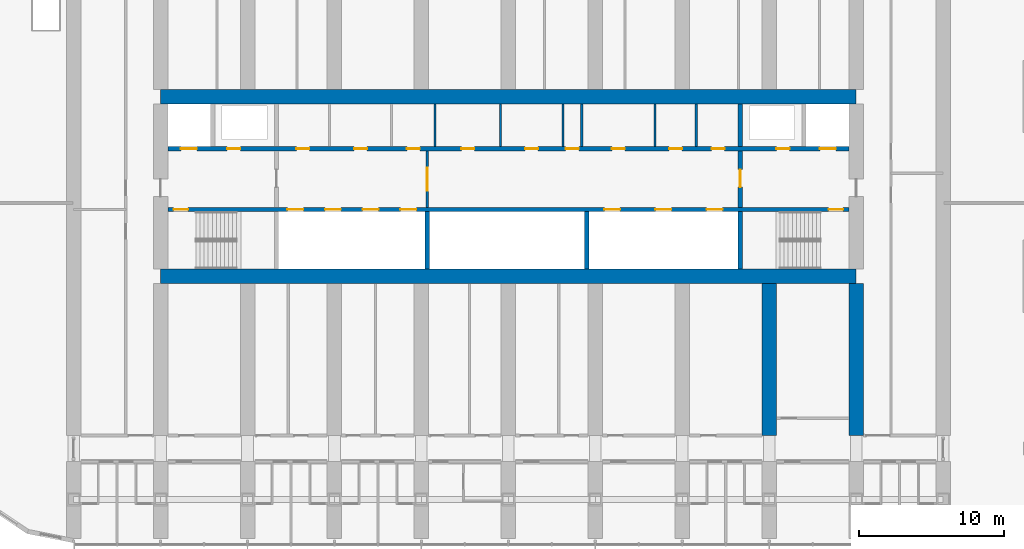
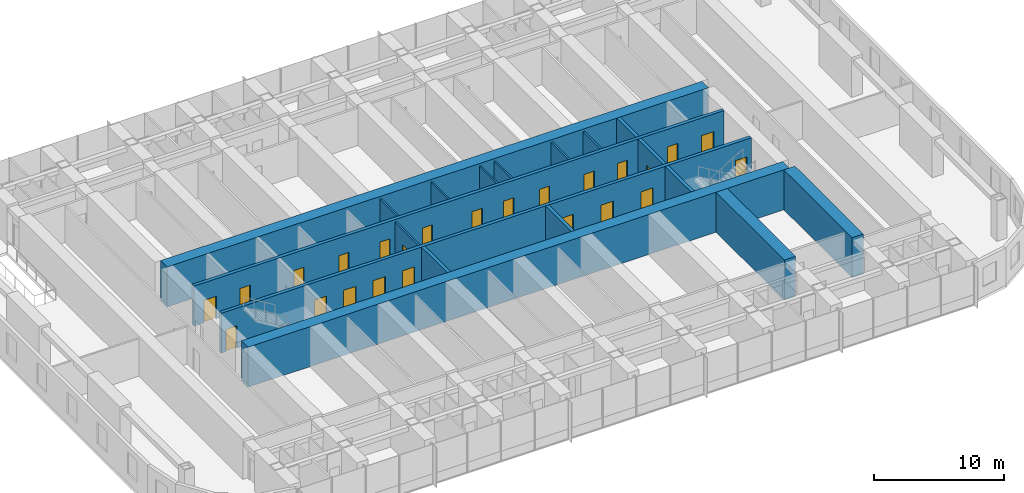
# One storey, part 13 of 23: 24 doors, 18 walls, 24 openings.
"""IFC4 building model written with IfcOpenShell, lengths in metres."""

from ifc_helpers import new_model, si_unit, direction, frame, frame_2d, origin, place, context, subcontext, project, spatial, rectangle, extrude, material, layer, layer_set, type_object, element, fill, save


model = new_model("IFC4")

# Units and contexts
model_context = context("Model", 3, precision=1e-05, world=origin(), true_north=direction((0.0, 1.0)))
body_context = subcontext(model_context, "Body", "Model", "MODEL_VIEW")
ifc_project = project(units=[si_unit("LENGTHUNIT", "METRE"), si_unit("AREAUNIT", "SQUARE_METRE"), si_unit("VOLUMEUNIT", "CUBIC_METRE"), si_unit("PLANEANGLEUNIT", "RADIAN"), si_unit("MASSUNIT", "GRAM", prefix="KILO")], contexts=[model_context])

# Site, building, storey
site_placement = place(None, origin())
site = spatial("IfcSite", under=ifc_project, at=site_placement, CompositionType="ELEMENT")
building_placement = place(site_placement, origin())
building = spatial("IfcBuilding", under=site, at=building_placement, Name="Orbita Commons", CompositionType="ELEMENT")
storey_placement = place(building_placement, frame((0.0, 0.0, 42.699951171875)))
storey = spatial("IfcBuildingStorey", under=building, at=storey_placement, Name="L10", CompositionType="ELEMENT", Elevation=42.699951171875)

# Wall, openings, doors
ifc_material_1 = material(Name="Concrete C50/60", Category="concrete")
ifc_layer_1 = layer(ifc_material_1, 0.300048828125)
ifc_layer_set_1 = layer_set([ifc_layer_1], Name="Concrete C50/60")
wall_type_1 = type_object("IfcWallType", Name="Core inner wall 300 C50/60", PredefinedType="SHEAR", material=ifc_layer_set_1)
wall_1_placement = place(storey_placement, frame((18.5, 30.39990234375, 0.0), z_axis=(0.0, 0.0, 1.0), x_axis=(1.0, 0.0, 0.0)))
wall_1 = element("IfcWall", 1, at=wall_1_placement, inside=storey, type_object=wall_type_1, Name="Lobby wall south L10", PredefinedType="SHEAR", context=body_context, shape_type="SweptSolid", body=[
    extrude(rectangle(XDim=47.0, YDim=0.300048828125, at=frame_2d((23.5, 0.0))), origin(), (0.0, 0.0, 1.0), 3.75),
])
opening_1_placement = place(wall_1_placement, frame((0.39990234375, 0.0, 0.0)))
opening_1 = element("IfcOpeningElement", 2, at=opening_1_placement, cuts=wall_1, Name="Opening D02", PredefinedType="OPENING", context=body_context, shape_type="SweptSolid", body=[
    extrude(rectangle(XDim=1.0, YDim=2.10009765625, at=frame_2d((0.5, 1.050048828125))), frame((0.0, 0.159912109375, 0.0), z_axis=(0.0, -1.0, 0.0), x_axis=(1.0, 0.0, 0.0)), (0.0, 0.0, 1.0), 0.320068359375),
])
opening_2_placement = place(wall_1_placement, frame((45.60009765625, 0.0, 0.0)))
opening_2 = element("IfcOpeningElement", 3, at=opening_2_placement, cuts=wall_1, Name="Opening D02", PredefinedType="OPENING", context=body_context, shape_type="SweptSolid", body=[
    extrude(rectangle(XDim=1.0, YDim=2.10009765625, at=frame_2d((0.5, 1.050048828125))), frame((0.0, 0.159912109375, 0.0), z_axis=(0.0, -1.0, 0.0), x_axis=(1.0, 0.0, 0.0)), (0.0, 0.0, 1.0), 0.320068359375),
])
opening_3_placement = place(wall_1_placement, frame((8.25, 0.0, 0.0)))
opening_3 = element("IfcOpeningElement", 4, at=opening_3_placement, cuts=wall_1, Name="Opening LD02", PredefinedType="OPENING", context=body_context, shape_type="SweptSolid", body=[
    extrude(rectangle(XDim=1.10009765625, YDim=2.10009765625, at=frame_2d((0.550048828125, 1.050048828125))), frame((0.0, 0.159912109375, 0.0), z_axis=(0.0, -1.0, 0.0), x_axis=(1.0, 0.0, 0.0)), (0.0, 0.0, 1.0), 0.320068359375),
])
opening_4_placement = place(wall_1_placement, frame((10.85009765625, 0.0, 0.0)))
opening_4 = element("IfcOpeningElement", 5, at=opening_4_placement, cuts=wall_1, Name="Opening LD02", PredefinedType="OPENING", context=body_context, shape_type="SweptSolid", body=[
    extrude(rectangle(XDim=1.10009765625, YDim=2.10009765625, at=frame_2d((0.550048828125, 1.050048828125))), frame((0.0, 0.159912109375, 0.0), z_axis=(0.0, -1.0, 0.0), x_axis=(1.0, 0.0, 0.0)), (0.0, 0.0, 1.0), 0.320068359375),
])
opening_5_placement = place(wall_1_placement, frame((13.449951171875, 0.0, 0.0)))
opening_5 = element("IfcOpeningElement", 6, at=opening_5_placement, cuts=wall_1, Name="Opening LD02", PredefinedType="OPENING", context=body_context, shape_type="SweptSolid", body=[
    extrude(rectangle(XDim=1.10009765625, YDim=2.10009765625, at=frame_2d((0.550048828125, 1.050048828125))), frame((0.0, 0.159912109375, 0.0), z_axis=(0.0, -1.0, 0.0), x_axis=(1.0, 0.0, 0.0)), (0.0, 0.0, 1.0), 0.320068359375),
])
opening_6_placement = place(wall_1_placement, frame((16.050048828125, 0.0, 0.0)))
opening_6 = element("IfcOpeningElement", 7, at=opening_6_placement, cuts=wall_1, Name="Opening LD02", PredefinedType="OPENING", context=body_context, shape_type="SweptSolid", body=[
    extrude(rectangle(XDim=1.10009765625, YDim=2.10009765625, at=frame_2d((0.550048828125, 1.050048828125))), frame((0.0, 0.159912109375, 0.0), z_axis=(0.0, -1.0, 0.0), x_axis=(1.0, 0.0, 0.0)), (0.0, 0.0, 1.0), 0.320068359375),
])
opening_7_placement = place(wall_1_placement, frame((30.11669921875, 0.0, 0.0)))
opening_7 = element("IfcOpeningElement", 8, at=opening_7_placement, cuts=wall_1, Name="Opening LD02", PredefinedType="OPENING", context=body_context, shape_type="SweptSolid", body=[
    extrude(rectangle(XDim=1.10009765625, YDim=2.10009765625, at=frame_2d((0.550048828125, 1.050048828125))), frame((0.0, 0.159912109375, 0.0), z_axis=(0.0, -1.0, 0.0), x_axis=(1.0, 0.0, 0.0)), (0.0, 0.0, 1.0), 0.320068359375),
])
opening_8_placement = place(wall_1_placement, frame((33.64990234375, 0.0, 0.0)))
opening_8 = element("IfcOpeningElement", 9, at=opening_8_placement, cuts=wall_1, Name="Opening LD02", PredefinedType="OPENING", context=body_context, shape_type="SweptSolid", body=[
    extrude(rectangle(XDim=1.10009765625, YDim=2.10009765625, at=frame_2d((0.550048828125, 1.050048828125))), frame((0.0, 0.159912109375, 0.0), z_axis=(0.0, -1.0, 0.0), x_axis=(1.0, 0.0, 0.0)), (0.0, 0.0, 1.0), 0.320068359375),
])
opening_9_placement = place(wall_1_placement, frame((37.183349609375, 0.0, 0.0)))
opening_9 = element("IfcOpeningElement", 10, at=opening_9_placement, cuts=wall_1, Name="Opening LD02", PredefinedType="OPENING", context=body_context, shape_type="SweptSolid", body=[
    extrude(rectangle(XDim=1.10009765625, YDim=2.10009765625, at=frame_2d((0.550048828125, 1.050048828125))), frame((0.0, 0.159912109375, 0.0), z_axis=(0.0, -1.0, 0.0), x_axis=(1.0, 0.0, 0.0)), (0.0, 0.0, 1.0), 0.320068359375),
])
ifc_material_2 = material(Name="Steel-faced fire door leaf", Category="steel")
door_type_1 = type_object("IfcDoorType", Name="Fire door 90 min 1000x2100", OperationType="SINGLE_SWING_LEFT", PredefinedType="DOOR", material=ifc_material_2)
door_1_placement = place(opening_1_placement, origin())
door_1 = element("IfcDoor", 11, at=door_1_placement, inside=storey, type_object=door_type_1, Name="Stair S1 door", OperationType="SINGLE_SWING_LEFT", OverallHeight=2.10009765625, OverallWidth=1.0, PredefinedType="DOOR", context=body_context, shape_type="SweptSolid", body=[
    extrude(rectangle(XDim=1.0, YDim=2.10009765625, at=frame_2d((0.5, 1.050048828125))), frame((0.0, 0.02490234375, 0.0), z_axis=(0.0, -1.0, 0.0), x_axis=(1.0, 0.0, 0.0)), (0.0, 0.0, 1.0), 0.050048828125),
])
fill(opening_1, door_1)
door_2_placement = place(opening_2_placement, origin())
door_2 = element("IfcDoor", 12, at=door_2_placement, inside=storey, type_object=door_type_1, Name="Stair S2 door", OperationType="SINGLE_SWING_LEFT", OverallHeight=2.10009765625, OverallWidth=1.0, PredefinedType="DOOR", context=body_context, shape_type="SweptSolid", body=[
    extrude(rectangle(XDim=1.0, YDim=2.10009765625, at=frame_2d((0.5, 1.050048828125))), frame((0.0, 0.02490234375, 0.0), z_axis=(0.0, -1.0, 0.0), x_axis=(1.0, 0.0, 0.0)), (0.0, 0.0, 1.0), 0.050048828125),
])
fill(opening_2, door_2)
ifc_material_3 = material(Name="Steel-faced fire door leaf", Category="steel")
door_type_2 = type_object("IfcDoorType", Name="Lift landing door 1100x2100", OperationType="DOUBLE_DOOR_SLIDING", PredefinedType="DOOR", material=ifc_material_3)
door_3_placement = place(opening_3_placement, origin())
door_3 = element("IfcDoor", 13, at=door_3_placement, inside=storey, type_object=door_type_2, Name="Lift P11 landing door", OperationType="DOUBLE_DOOR_SLIDING", OverallHeight=2.10009765625, OverallWidth=1.10009765625, PredefinedType="DOOR", context=body_context, shape_type="SweptSolid", body=[
    extrude(rectangle(XDim=1.10009765625, YDim=2.10009765625, at=frame_2d((0.550048828125, 1.050048828125))), frame((0.0, 0.02490234375, 0.0), z_axis=(0.0, -1.0, 0.0), x_axis=(1.0, 0.0, 0.0)), (0.0, 0.0, 1.0), 0.050048828125),
])
fill(opening_3, door_3)
door_4_placement = place(opening_4_placement, origin())
door_4 = element("IfcDoor", 14, at=door_4_placement, inside=storey, type_object=door_type_2, Name="Lift P12 landing door", OperationType="DOUBLE_DOOR_SLIDING", OverallHeight=2.10009765625, OverallWidth=1.10009765625, PredefinedType="DOOR", context=body_context, shape_type="SweptSolid", body=[
    extrude(rectangle(XDim=1.10009765625, YDim=2.10009765625, at=frame_2d((0.550048828125, 1.050048828125))), frame((0.0, 0.02490234375, 0.0), z_axis=(0.0, -1.0, 0.0), x_axis=(1.0, 0.0, 0.0)), (0.0, 0.0, 1.0), 0.050048828125),
])
fill(opening_4, door_4)
door_5_placement = place(opening_5_placement, origin())
door_5 = element("IfcDoor", 15, at=door_5_placement, inside=storey, type_object=door_type_2, Name="Lift P13 landing door", OperationType="DOUBLE_DOOR_SLIDING", OverallHeight=2.10009765625, OverallWidth=1.10009765625, PredefinedType="DOOR", context=body_context, shape_type="SweptSolid", body=[
    extrude(rectangle(XDim=1.10009765625, YDim=2.10009765625, at=frame_2d((0.550048828125, 1.050048828125))), frame((0.0, 0.02490234375, 0.0), z_axis=(0.0, -1.0, 0.0), x_axis=(1.0, 0.0, 0.0)), (0.0, 0.0, 1.0), 0.050048828125),
])
fill(opening_5, door_5)
door_6_placement = place(opening_6_placement, origin())
door_6 = element("IfcDoor", 16, at=door_6_placement, inside=storey, type_object=door_type_2, Name="Lift P14 landing door", OperationType="DOUBLE_DOOR_SLIDING", OverallHeight=2.10009765625, OverallWidth=1.10009765625, PredefinedType="DOOR", context=body_context, shape_type="SweptSolid", body=[
    extrude(rectangle(XDim=1.10009765625, YDim=2.10009765625, at=frame_2d((0.550048828125, 1.050048828125))), frame((0.0, 0.02490234375, 0.0), z_axis=(0.0, -1.0, 0.0), x_axis=(1.0, 0.0, 0.0)), (0.0, 0.0, 1.0), 0.050048828125),
])
fill(opening_6, door_6)
door_7_placement = place(opening_7_placement, origin())
door_7 = element("IfcDoor", 17, at=door_7_placement, inside=storey, type_object=door_type_2, Name="Lift SV1 landing door", OperationType="DOUBLE_DOOR_SLIDING", OverallHeight=2.10009765625, OverallWidth=1.10009765625, PredefinedType="DOOR", context=body_context, shape_type="SweptSolid", body=[
    extrude(rectangle(XDim=1.10009765625, YDim=2.10009765625, at=frame_2d((0.550048828125, 1.050048828125))), frame((0.0, 0.02490234375, 0.0), z_axis=(0.0, -1.0, 0.0), x_axis=(1.0, 0.0, 0.0)), (0.0, 0.0, 1.0), 0.050048828125),
])
fill(opening_7, door_7)
door_8_placement = place(opening_8_placement, origin())
door_8 = element("IfcDoor", 18, at=door_8_placement, inside=storey, type_object=door_type_2, Name="Lift SV2 landing door", OperationType="DOUBLE_DOOR_SLIDING", OverallHeight=2.10009765625, OverallWidth=1.10009765625, PredefinedType="DOOR", context=body_context, shape_type="SweptSolid", body=[
    extrude(rectangle(XDim=1.10009765625, YDim=2.10009765625, at=frame_2d((0.550048828125, 1.050048828125))), frame((0.0, 0.02490234375, 0.0), z_axis=(0.0, -1.0, 0.0), x_axis=(1.0, 0.0, 0.0)), (0.0, 0.0, 1.0), 0.050048828125),
])
fill(opening_8, door_8)
door_9_placement = place(opening_9_placement, origin())
door_9 = element("IfcDoor", 19, at=door_9_placement, inside=storey, type_object=door_type_2, Name="Lift SV3 landing door", OperationType="DOUBLE_DOOR_SLIDING", OverallHeight=2.10009765625, OverallWidth=1.10009765625, PredefinedType="DOOR", context=body_context, shape_type="SweptSolid", body=[
    extrude(rectangle(XDim=1.10009765625, YDim=2.10009765625, at=frame_2d((0.550048828125, 1.050048828125))), frame((0.0, 0.02490234375, 0.0), z_axis=(0.0, -1.0, 0.0), x_axis=(1.0, 0.0, 0.0)), (0.0, 0.0, 1.0), 0.050048828125),
])
fill(opening_9, door_9)

wall_2_placement = place(storey_placement, frame((18.5, 34.60009765625, 0.0), z_axis=(0.0, 0.0, 1.0), x_axis=(1.0, 0.0, 0.0)))
wall_2 = element("IfcWall", 20, at=wall_2_placement, inside=storey, type_object=wall_type_1, Name="Lobby wall north L10", PredefinedType="SHEAR", context=body_context, shape_type="SweptSolid", body=[
    extrude(rectangle(XDim=47.0, YDim=0.300048828125, at=frame_2d((23.5, 0.0))), origin(), (0.0, 0.0, 1.0), 3.75),
])
opening_10_placement = place(wall_2_placement, frame((0.89990234375, 0.0, 0.0)))
opening_10 = element("IfcOpeningElement", 21, at=opening_10_placement, cuts=wall_2, Name="Opening LD01", PredefinedType="OPENING", context=body_context, shape_type="SweptSolid", body=[
    extrude(rectangle(XDim=1.10009765625, YDim=2.10009765625, at=frame_2d((0.550048828125, 1.050048828125))), frame((0.0, 0.159912109375, 0.0), z_axis=(0.0, -1.0, 0.0), x_axis=(1.0, 0.0, 0.0)), (0.0, 0.0, 1.0), 0.320068359375),
])
opening_11_placement = place(wall_2_placement, frame((45.0, 0.0, 0.0)))
opening_11 = element("IfcOpeningElement", 22, at=opening_11_placement, cuts=wall_2, Name="Opening LD01", PredefinedType="OPENING", context=body_context, shape_type="SweptSolid", body=[
    extrude(rectangle(XDim=1.10009765625, YDim=2.10009765625, at=frame_2d((0.550048828125, 1.050048828125))), frame((0.0, 0.159912109375, 0.0), z_axis=(0.0, -1.0, 0.0), x_axis=(1.0, 0.0, 0.0)), (0.0, 0.0, 1.0), 0.320068359375),
])
opening_12_placement = place(wall_2_placement, frame((4.10009765625, 0.0, 0.0)))
opening_12 = element("IfcOpeningElement", 23, at=opening_12_placement, cuts=wall_2, Name="Opening D03", PredefinedType="OPENING", context=body_context, shape_type="SweptSolid", body=[
    extrude(rectangle(XDim=0.89990234375, YDim=2.10009765625, at=frame_2d((0.449951171875, 1.050048828125))), frame((0.0, 0.159912109375, 0.0), z_axis=(0.0, -1.0, 0.0), x_axis=(1.0, 0.0, 0.0)), (0.0, 0.0, 1.0), 0.320068359375),
])
opening_13_placement = place(wall_2_placement, frame((42.0, 0.0, 0.0)))
opening_13 = element("IfcOpeningElement", 24, at=opening_13_placement, cuts=wall_2, Name="Opening D03", PredefinedType="OPENING", context=body_context, shape_type="SweptSolid", body=[
    extrude(rectangle(XDim=0.89990234375, YDim=2.10009765625, at=frame_2d((0.449951171875, 1.050048828125))), frame((0.0, 0.159912109375, 0.0), z_axis=(0.0, -1.0, 0.0), x_axis=(1.0, 0.0, 0.0)), (0.0, 0.0, 1.0), 0.320068359375),
])
opening_14_placement = place(wall_2_placement, frame((8.87548828125, 0.0, 0.0)))
opening_14 = element("IfcOpeningElement", 25, at=opening_14_placement, cuts=wall_2, Name="Opening D05", PredefinedType="OPENING", context=body_context, shape_type="SweptSolid", body=[
    extrude(rectangle(XDim=0.89990234375, YDim=2.10009765625, at=frame_2d((0.449951171875, 1.050048828125))), frame((0.0, 0.159912109375, 0.0), z_axis=(0.0, -1.0, 0.0), x_axis=(1.0, 0.0, 0.0)), (0.0, 0.0, 1.0), 0.320068359375),
])
opening_15_placement = place(wall_2_placement, frame((12.8486328125, 0.0, 0.0)))
opening_15 = element("IfcOpeningElement", 26, at=opening_15_placement, cuts=wall_2, Name="Opening D03", PredefinedType="OPENING", context=body_context, shape_type="SweptSolid", body=[
    extrude(rectangle(XDim=0.89990234375, YDim=2.10009765625, at=frame_2d((0.449951171875, 1.050048828125))), frame((0.0, 0.159912109375, 0.0), z_axis=(0.0, -1.0, 0.0), x_axis=(1.0, 0.0, 0.0)), (0.0, 0.0, 1.0), 0.320068359375),
])
opening_16_placement = place(wall_2_placement, frame((16.496337890625, 0.0, 0.0)))
opening_16 = element("IfcOpeningElement", 27, at=opening_16_placement, cuts=wall_2, Name="Opening D03", PredefinedType="OPENING", context=body_context, shape_type="SweptSolid", body=[
    extrude(rectangle(XDim=0.89990234375, YDim=2.10009765625, at=frame_2d((0.449951171875, 1.050048828125))), frame((0.0, 0.159912109375, 0.0), z_axis=(0.0, -1.0, 0.0), x_axis=(1.0, 0.0, 0.0)), (0.0, 0.0, 1.0), 0.320068359375),
])
opening_17_placement = place(wall_2_placement, frame((20.254638671875, 0.0, 0.0)))
opening_17 = element("IfcOpeningElement", 28, at=opening_17_placement, cuts=wall_2, Name="Opening D03", PredefinedType="OPENING", context=body_context, shape_type="SweptSolid", body=[
    extrude(rectangle(XDim=0.89990234375, YDim=2.10009765625, at=frame_2d((0.449951171875, 1.050048828125))), frame((0.0, 0.159912109375, 0.0), z_axis=(0.0, -1.0, 0.0), x_axis=(1.0, 0.0, 0.0)), (0.0, 0.0, 1.0), 0.320068359375),
])
opening_18_placement = place(wall_2_placement, frame((24.66064453125, 0.0, 0.0)))
opening_18 = element("IfcOpeningElement", 29, at=opening_18_placement, cuts=wall_2, Name="Opening D03", PredefinedType="OPENING", context=body_context, shape_type="SweptSolid", body=[
    extrude(rectangle(XDim=0.89990234375, YDim=2.10009765625, at=frame_2d((0.449951171875, 1.050048828125))), frame((0.0, 0.159912109375, 0.0), z_axis=(0.0, -1.0, 0.0), x_axis=(1.0, 0.0, 0.0)), (0.0, 0.0, 1.0), 0.320068359375),
])
opening_19_placement = place(wall_2_placement, frame((27.45849609375, 0.0, 0.0)))
opening_19 = element("IfcOpeningElement", 30, at=opening_19_placement, cuts=wall_2, Name="Opening D03", PredefinedType="OPENING", context=body_context, shape_type="SweptSolid", body=[
    extrude(rectangle(XDim=0.89990234375, YDim=2.10009765625, at=frame_2d((0.449951171875, 1.050048828125))), frame((0.0, 0.159912109375, 0.0), z_axis=(0.0, -1.0, 0.0), x_axis=(1.0, 0.0, 0.0)), (0.0, 0.0, 1.0), 0.320068359375),
])
opening_20_placement = place(wall_2_placement, frame((30.64111328125, 0.0, 0.0)))
opening_20 = element("IfcOpeningElement", 31, at=opening_20_placement, cuts=wall_2, Name="Opening D05", PredefinedType="OPENING", context=body_context, shape_type="SweptSolid", body=[
    extrude(rectangle(XDim=0.89990234375, YDim=2.10009765625, at=frame_2d((0.449951171875, 1.050048828125))), frame((0.0, 0.159912109375, 0.0), z_axis=(0.0, -1.0, 0.0), x_axis=(1.0, 0.0, 0.0)), (0.0, 0.0, 1.0), 0.320068359375),
])
opening_21_placement = place(wall_2_placement, frame((34.59228515625, 0.0, 0.0)))
opening_21 = element("IfcOpeningElement", 32, at=opening_21_placement, cuts=wall_2, Name="Opening D03", PredefinedType="OPENING", context=body_context, shape_type="SweptSolid", body=[
    extrude(rectangle(XDim=0.89990234375, YDim=2.10009765625, at=frame_2d((0.449951171875, 1.050048828125))), frame((0.0, 0.159912109375, 0.0), z_axis=(0.0, -1.0, 0.0), x_axis=(1.0, 0.0, 0.0)), (0.0, 0.0, 1.0), 0.320068359375),
])
opening_22_placement = place(wall_2_placement, frame((37.5302734375, 0.0, 0.0)))
opening_22 = element("IfcOpeningElement", 33, at=opening_22_placement, cuts=wall_2, Name="Opening D03", PredefinedType="OPENING", context=body_context, shape_type="SweptSolid", body=[
    extrude(rectangle(XDim=0.89990234375, YDim=2.10009765625, at=frame_2d((0.449951171875, 1.050048828125))), frame((0.0, 0.159912109375, 0.0), z_axis=(0.0, -1.0, 0.0), x_axis=(1.0, 0.0, 0.0)), (0.0, 0.0, 1.0), 0.320068359375),
])
ifc_material_4 = material(Name="Steel-faced fire door leaf", Category="steel")
door_type_3 = type_object("IfcDoorType", Name="Firefighting lift landing door 1100x2100", OperationType="DOUBLE_DOOR_SLIDING", PredefinedType="DOOR", material=ifc_material_4)
door_10_placement = place(opening_10_placement, origin())
door_10 = element("IfcDoor", 34, at=door_10_placement, inside=storey, type_object=door_type_3, Name="Firefighting lift FL1 landing door", OperationType="DOUBLE_DOOR_SLIDING", OverallHeight=2.10009765625, OverallWidth=1.10009765625, PredefinedType="DOOR", context=body_context, shape_type="SweptSolid", body=[
    extrude(rectangle(XDim=1.10009765625, YDim=2.10009765625, at=frame_2d((0.550048828125, 1.050048828125))), frame((0.0, 0.02490234375, 0.0), z_axis=(0.0, -1.0, 0.0), x_axis=(1.0, 0.0, 0.0)), (0.0, 0.0, 1.0), 0.050048828125),
])
fill(opening_10, door_10)
door_11_placement = place(opening_11_placement, origin())
door_11 = element("IfcDoor", 35, at=door_11_placement, inside=storey, type_object=door_type_3, Name="Firefighting lift FL2 landing door", OperationType="DOUBLE_DOOR_SLIDING", OverallHeight=2.10009765625, OverallWidth=1.10009765625, PredefinedType="DOOR", context=body_context, shape_type="SweptSolid", body=[
    extrude(rectangle(XDim=1.10009765625, YDim=2.10009765625, at=frame_2d((0.550048828125, 1.050048828125))), frame((0.0, 0.02490234375, 0.0), z_axis=(0.0, -1.0, 0.0), x_axis=(1.0, 0.0, 0.0)), (0.0, 0.0, 1.0), 0.050048828125),
])
fill(opening_11, door_11)
ifc_material_5 = material(Name="Steel-faced fire door leaf", Category="steel")
door_type_4 = type_object("IfcDoorType", Name="Service door 20 min 900x2100", OperationType="SINGLE_SWING_LEFT", PredefinedType="DOOR", material=ifc_material_5)
door_12_placement = place(opening_14_placement, origin())
door_12 = element("IfcDoor", 36, at=door_12_placement, inside=storey, type_object=door_type_4, Name="Accessible WC door", OperationType="SINGLE_SWING_LEFT", OverallHeight=2.10009765625, OverallWidth=0.89990234375, PredefinedType="DOOR", context=body_context, shape_type="SweptSolid", body=[
    extrude(rectangle(XDim=0.89990234375, YDim=2.10009765625, at=frame_2d((0.449951171875, 1.050048828125))), frame((0.0, 0.02490234375, 0.0), z_axis=(0.0, -1.0, 0.0), x_axis=(1.0, 0.0, 0.0)), (0.0, 0.0, 1.0), 0.050048828125),
])
fill(opening_14, door_12)
door_13_placement = place(opening_20_placement, origin())
door_13 = element("IfcDoor", 37, at=door_13_placement, inside=storey, type_object=door_type_4, Name="Guest pantry door", OperationType="SINGLE_SWING_LEFT", OverallHeight=2.10009765625, OverallWidth=0.89990234375, PredefinedType="DOOR", context=body_context, shape_type="SweptSolid", body=[
    extrude(rectangle(XDim=0.89990234375, YDim=2.10009765625, at=frame_2d((0.449951171875, 1.050048828125))), frame((0.0, 0.02490234375, 0.0), z_axis=(0.0, -1.0, 0.0), x_axis=(1.0, 0.0, 0.0)), (0.0, 0.0, 1.0), 0.050048828125),
])
fill(opening_20, door_13)
ifc_material_6 = material(Name="Steel-faced fire door leaf", Category="steel")
door_type_5 = type_object("IfcDoorType", Name="Shaft access door 90 min 900x2100", OperationType="SINGLE_SWING_LEFT", PredefinedType="DOOR", material=ifc_material_6)
door_14_placement = place(opening_12_placement, origin())
door_14 = element("IfcDoor", 38, at=door_14_placement, inside=storey, type_object=door_type_5, Name="Riser door west", OperationType="SINGLE_SWING_LEFT", OverallHeight=2.10009765625, OverallWidth=0.89990234375, PredefinedType="DOOR", context=body_context, shape_type="SweptSolid", body=[
    extrude(rectangle(XDim=0.89990234375, YDim=2.10009765625, at=frame_2d((0.449951171875, 1.050048828125))), frame((0.0, 0.02490234375, 0.0), z_axis=(0.0, -1.0, 0.0), x_axis=(1.0, 0.0, 0.0)), (0.0, 0.0, 1.0), 0.050048828125),
])
fill(opening_12, door_14)
door_15_placement = place(opening_13_placement, origin())
door_15 = element("IfcDoor", 39, at=door_15_placement, inside=storey, type_object=door_type_5, Name="Riser door east", OperationType="SINGLE_SWING_LEFT", OverallHeight=2.10009765625, OverallWidth=0.89990234375, PredefinedType="DOOR", context=body_context, shape_type="SweptSolid", body=[
    extrude(rectangle(XDim=0.89990234375, YDim=2.10009765625, at=frame_2d((0.449951171875, 1.050048828125))), frame((0.0, 0.02490234375, 0.0), z_axis=(0.0, -1.0, 0.0), x_axis=(1.0, 0.0, 0.0)), (0.0, 0.0, 1.0), 0.050048828125),
])
fill(opening_13, door_15)
door_16_placement = place(opening_15_placement, origin())
door_16 = element("IfcDoor", 40, at=door_16_placement, inside=storey, type_object=door_type_5, Name="Refuse chute room door", OperationType="SINGLE_SWING_LEFT", OverallHeight=2.10009765625, OverallWidth=0.89990234375, PredefinedType="DOOR", context=body_context, shape_type="SweptSolid", body=[
    extrude(rectangle(XDim=0.89990234375, YDim=2.10009765625, at=frame_2d((0.449951171875, 1.050048828125))), frame((0.0, 0.02490234375, 0.0), z_axis=(0.0, -1.0, 0.0), x_axis=(1.0, 0.0, 0.0)), (0.0, 0.0, 1.0), 0.050048828125),
])
fill(opening_15, door_16)
door_17_placement = place(opening_16_placement, origin())
door_17 = element("IfcDoor", 41, at=door_17_placement, inside=storey, type_object=door_type_5, Name="Electrical riser room door", OperationType="SINGLE_SWING_LEFT", OverallHeight=2.10009765625, OverallWidth=0.89990234375, PredefinedType="DOOR", context=body_context, shape_type="SweptSolid", body=[
    extrude(rectangle(XDim=0.89990234375, YDim=2.10009765625, at=frame_2d((0.449951171875, 1.050048828125))), frame((0.0, 0.02490234375, 0.0), z_axis=(0.0, -1.0, 0.0), x_axis=(1.0, 0.0, 0.0)), (0.0, 0.0, 1.0), 0.050048828125),
])
fill(opening_16, door_17)
door_18_placement = place(opening_17_placement, origin())
door_18 = element("IfcDoor", 42, at=door_18_placement, inside=storey, type_object=door_type_5, Name="IT room door", OperationType="SINGLE_SWING_LEFT", OverallHeight=2.10009765625, OverallWidth=0.89990234375, PredefinedType="DOOR", context=body_context, shape_type="SweptSolid", body=[
    extrude(rectangle(XDim=0.89990234375, YDim=2.10009765625, at=frame_2d((0.449951171875, 1.050048828125))), frame((0.0, 0.02490234375, 0.0), z_axis=(0.0, -1.0, 0.0), x_axis=(1.0, 0.0, 0.0)), (0.0, 0.0, 1.0), 0.050048828125),
])
fill(opening_17, door_18)
door_19_placement = place(opening_18_placement, origin())
door_19 = element("IfcDoor", 43, at=door_19_placement, inside=storey, type_object=door_type_5, Name="Communications room door", OperationType="SINGLE_SWING_LEFT", OverallHeight=2.10009765625, OverallWidth=0.89990234375, PredefinedType="DOOR", context=body_context, shape_type="SweptSolid", body=[
    extrude(rectangle(XDim=0.89990234375, YDim=2.10009765625, at=frame_2d((0.449951171875, 1.050048828125))), frame((0.0, 0.02490234375, 0.0), z_axis=(0.0, -1.0, 0.0), x_axis=(1.0, 0.0, 0.0)), (0.0, 0.0, 1.0), 0.050048828125),
])
fill(opening_18, door_19)
door_20_placement = place(opening_19_placement, origin())
door_20 = element("IfcDoor", 44, at=door_20_placement, inside=storey, type_object=door_type_5, Name="Stair pressurisation duct door", OperationType="SINGLE_SWING_LEFT", OverallHeight=2.10009765625, OverallWidth=0.89990234375, PredefinedType="DOOR", context=body_context, shape_type="SweptSolid", body=[
    extrude(rectangle(XDim=0.89990234375, YDim=2.10009765625, at=frame_2d((0.449951171875, 1.050048828125))), frame((0.0, 0.02490234375, 0.0), z_axis=(0.0, -1.0, 0.0), x_axis=(1.0, 0.0, 0.0)), (0.0, 0.0, 1.0), 0.050048828125),
])
fill(opening_19, door_20)
door_21_placement = place(opening_21_placement, origin())
door_21 = element("IfcDoor", 45, at=door_21_placement, inside=storey, type_object=door_type_5, Name="Linen store door", OperationType="SINGLE_SWING_LEFT", OverallHeight=2.10009765625, OverallWidth=0.89990234375, PredefinedType="DOOR", context=body_context, shape_type="SweptSolid", body=[
    extrude(rectangle(XDim=0.89990234375, YDim=2.10009765625, at=frame_2d((0.449951171875, 1.050048828125))), frame((0.0, 0.02490234375, 0.0), z_axis=(0.0, -1.0, 0.0), x_axis=(1.0, 0.0, 0.0)), (0.0, 0.0, 1.0), 0.050048828125),
])
fill(opening_21, door_21)
door_22_placement = place(opening_22_placement, origin())
door_22 = element("IfcDoor", 46, at=door_22_placement, inside=storey, type_object=door_type_5, Name="Cleaners store door", OperationType="SINGLE_SWING_LEFT", OverallHeight=2.10009765625, OverallWidth=0.89990234375, PredefinedType="DOOR", context=body_context, shape_type="SweptSolid", body=[
    extrude(rectangle(XDim=0.89990234375, YDim=2.10009765625, at=frame_2d((0.449951171875, 1.050048828125))), frame((0.0, 0.02490234375, 0.0), z_axis=(0.0, -1.0, 0.0), x_axis=(1.0, 0.0, 0.0)), (0.0, 0.0, 1.0), 0.050048828125),
])
fill(opening_22, door_22)

# Wall
wall_3_placement = place(storey_placement, frame((58.0, 26.300048828125, 0.0), z_axis=(0.0, 0.0, 1.0), x_axis=(0.0, 1.0, 0.0)))
element("IfcWall", 47, at=wall_3_placement, inside=storey, type_object=wall_type_1, Name="Stair S2 wall L10", PredefinedType="SHEAR", context=body_context, shape_type="SweptSolid", body=[
    extrude(rectangle(XDim=3.949951171875, YDim=0.300048828125, at=frame_2d((1.97509765625, 0.0))), origin(), (0.0, 0.0, 1.0), 3.75),
])

# Wall, opening, door
wall_4_placement = place(storey_placement, frame((58.0, 30.550048828125, 0.0), z_axis=(0.0, 0.0, 1.0), x_axis=(0.0, 1.0, 0.0)))
wall_4 = element("IfcWall", 48, at=wall_4_placement, inside=storey, type_object=wall_type_1, Name="Firefighting lobby wall east L10", PredefinedType="SHEAR", context=body_context, shape_type="SweptSolid", body=[
    extrude(rectangle(XDim=3.89990234375, YDim=0.300048828125, at=frame_2d((1.949951171875, 0.0))), origin(), (0.0, 0.0, 1.0), 3.75),
])
opening_23_placement = place(wall_4_placement, frame((1.39990234375, 0.0, 0.0)))
opening_23 = element("IfcOpeningElement", 49, at=opening_23_placement, cuts=wall_4, Name="Opening D04", PredefinedType="OPENING", context=body_context, shape_type="SweptSolid", body=[
    extrude(rectangle(XDim=1.199951171875, YDim=2.10009765625, at=frame_2d((0.60009765625, 1.050048828125))), frame((0.0, 0.159912109375, 0.0), z_axis=(0.0, -1.0, 0.0), x_axis=(1.0, 0.0, 0.0)), (0.0, 0.0, 1.0), 0.320068359375),
])
ifc_material_7 = material(Name="Steel-faced fire door leaf", Category="steel")
door_type_6 = type_object("IfcDoorType", Name="Service door 20 min 1200x2100", OperationType="SINGLE_SWING_LEFT", PredefinedType="DOOR", material=ifc_material_7)
door_23_placement = place(opening_23_placement, origin())
door_23 = element("IfcDoor", 50, at=door_23_placement, inside=storey, type_object=door_type_6, Name="Lift lobby door east", OperationType="SINGLE_SWING_LEFT", OverallHeight=2.10009765625, OverallWidth=1.199951171875, PredefinedType="DOOR", context=body_context, shape_type="SweptSolid", body=[
    extrude(rectangle(XDim=1.199951171875, YDim=2.10009765625, at=frame_2d((0.60009765625, 1.050048828125))), frame((0.0, 0.02490234375, 0.0), z_axis=(0.0, -1.0, 0.0), x_axis=(1.0, 0.0, 0.0)), (0.0, 0.0, 1.0), 0.050048828125),
])
fill(opening_23, door_23)

# Walls
wall_5_placement = place(storey_placement, frame((58.0, 34.75, 0.0), z_axis=(0.0, 0.0, 1.0), x_axis=(0.0, 1.0, 0.0)))
element("IfcWall", 51, at=wall_5_placement, inside=storey, type_object=wall_type_1, Name="Riser wall east L10", PredefinedType="SHEAR", context=body_context, shape_type="SweptSolid", body=[
    extrude(rectangle(XDim=2.949951171875, YDim=0.300048828125, at=frame_2d((1.47509765625, 0.0))), origin(), (0.0, 0.0, 1.0), 3.75),
])
for number, where, z_axis, x_axis, name in (
    (52, (36.39990234375, 26.300048828125, 0.0), (0.0, 0.0, 1.0), (0.0, 1.0, 0.0), "Hoistway division wall L10"),
    (53, (47.39990234375, 26.300048828125, 0.0), (0.0, 0.0, 1.0), (0.0, 1.0, 0.0), "Hoistway division wall L10"),
):
    element("IfcWall", number, at=place(storey_placement, frame(where, z_axis=z_axis, x_axis=x_axis)), inside=storey, type_object=wall_type_1, Name=name, PredefinedType="SHEAR", context=body_context, shape_type="SweptSolid", body=[
        extrude(rectangle(XDim=3.949951171875, YDim=0.300048828125, at=frame_2d((1.97509765625, 0.0))), origin(), (0.0, 0.0, 1.0), 3.75),
    ])

# Wall, opening, door
ifc_material_8 = material(Name="Concrete blockwork", Category="masonry")
ifc_layer_2 = layer(ifc_material_8, 0.14990234375)
ifc_layer_set_2 = layer_set([ifc_layer_2], Name="Concrete blockwork")
wall_type_2 = type_object("IfcWallType", Name="Core partition 150 blockwork", PredefinedType="SOLIDWALL", material=ifc_layer_set_2)
wall_6_placement = place(storey_placement, frame((36.39990234375, 30.550048828125, 0.0), z_axis=(0.0, 0.0, 1.0), x_axis=(0.0, 1.0, 0.0)))
wall_6 = element("IfcWall", 54, at=wall_6_placement, inside=storey, type_object=wall_type_2, Name="Core partition 150 blockwork L10", PredefinedType="SOLIDWALL", context=body_context, shape_type="SweptSolid", body=[
    extrude(rectangle(XDim=3.89990234375, YDim=0.14990234375, at=frame_2d((1.949951171875, 0.0))), origin(), (0.0, 0.0, 1.0), 3.5),
])
opening_24_placement = place(wall_6_placement, frame((1.14990234375, 0.0, 0.0)))
opening_24 = element("IfcOpeningElement", 55, at=opening_24_placement, cuts=wall_6, Name="Opening D10", PredefinedType="OPENING", context=body_context, shape_type="SweptSolid", body=[
    extrude(rectangle(XDim=1.60009765625, YDim=2.10009765625, at=frame_2d((0.800048828125, 1.050048828125))), frame((0.0, 0.0849609375, 0.0), z_axis=(0.0, -1.0, 0.0), x_axis=(1.0, 0.0, 0.0)), (0.0, 0.0, 1.0), 0.169921875),
])
ifc_material_9 = material(Name="Steel-faced fire door leaf", Category="steel")
door_type_7 = type_object("IfcDoorType", Name="Double corridor door 20 min 1600x2100", OperationType="DOUBLE_DOOR_SINGLE_SWING", PredefinedType="DOOR", material=ifc_material_9)
door_24_placement = place(opening_24_placement, origin())
door_24 = element("IfcDoor", 56, at=door_24_placement, inside=storey, type_object=door_type_7, Name="Lift lobby screen doors", OperationType="DOUBLE_DOOR_SINGLE_SWING", OverallHeight=2.10009765625, OverallWidth=1.60009765625, PredefinedType="DOOR", context=body_context, shape_type="SweptSolid", body=[
    extrude(rectangle(XDim=1.60009765625, YDim=2.10009765625, at=frame_2d((0.800048828125, 1.050048828125))), frame((0.0, 0.02490234375, 0.0), z_axis=(0.0, -1.0, 0.0), x_axis=(1.0, 0.0, 0.0)), (0.0, 0.0, 1.0), 0.050048828125),
])
fill(opening_24, door_24)

# Walls
for number, where, z_axis, x_axis, name in (
    (57, (36.9462890625, 34.75, 0.0), (0.0, 0.0, 1.0), (0.0, 1.0, 0.0), "Core partition 150 blockwork L10"),
    (58, (41.463134765625, 34.75, 0.0), (0.0, 0.0, 1.0), (0.0, 1.0, 0.0), "Core partition 150 blockwork L10"),
    (59, (45.75830078125, 34.75, 0.0), (0.0, 0.0, 1.0), (0.0, 1.0, 0.0), "Core partition 150 blockwork L10"),
    (60, (47.058349609375, 34.75, 0.0), (0.0, 0.0, 1.0), (0.0, 1.0, 0.0), "Core partition 150 blockwork L10"),
    (61, (52.123779296875, 34.75, 0.0), (0.0, 0.0, 1.0), (0.0, 1.0, 0.0), "Core partition 150 blockwork L10"),
    (62, (54.960693359375, 34.75, 0.0), (0.0, 0.0, 1.0), (0.0, 1.0, 0.0), "Core partition 150 blockwork L10"),
):
    element("IfcWall", number, at=place(storey_placement, frame(where, z_axis=z_axis, x_axis=x_axis)), inside=storey, type_object=wall_type_2, Name=name, PredefinedType="SOLIDWALL", context=body_context, shape_type="SweptSolid", body=[
        extrude(rectangle(XDim=2.949951171875, YDim=0.14990234375, at=frame_2d((1.47509765625, 0.0))), origin(), (0.0, 0.0, 1.0), 3.5),
    ])
ifc_material_10 = material(Name="Concrete C50/60", Category="concrete")
ifc_layer_3 = layer(ifc_material_10, 1.0)
ifc_layer_set_3 = layer_set([ifc_layer_3], Name="Concrete C50/60")
wall_type_3 = type_object("IfcWallType", Name="Core wall 1000 C50/60", PredefinedType="SHEAR", material=ifc_layer_set_3)
for number, where, z_axis, x_axis, name in (
    (63, (18.0, 25.800048828125, 0.0), (0.0, 0.0, 1.0), (1.0, 0.0, 0.0), "Core spine wall south L10"),
    (64, (18.0, 38.199951171875, 0.0), (0.0, 0.0, 1.0), (1.0, 0.0, 0.0), "Core spine wall north L10"),
):
    element("IfcWall", number, at=place(storey_placement, frame(where, z_axis=z_axis, x_axis=x_axis)), inside=storey, type_object=wall_type_3, Name=name, PredefinedType="SHEAR", context=body_context, shape_type="SweptSolid", body=[
        extrude(rectangle(XDim=48.0, YDim=1.0, at=frame_2d((24.0, 0.0))), origin(), (0.0, 0.0, 1.0), 3.75),
    ])
ifc_material_11 = material(Name="Concrete C50/60", Category="concrete")
ifc_layer_4 = layer(ifc_material_11, 1.0)
ifc_layer_set_4 = layer_set([ifc_layer_4], Name="Concrete C50/60")
wall_type_4 = type_object("IfcWallType", Name="Cross wall 1000 C50/60", PredefinedType="SHEAR", material=ifc_layer_set_4)
for number, where, z_axis, x_axis, name in (
    (65, (60.0, 14.800048828125, 0.0), (0.0, 0.0, 1.0), (0.0, 1.0, 0.0), "Cross wall 11 south inner L10"),
    (66, (66.0, 14.800048828125, 0.0), (0.0, 0.0, 1.0), (0.0, 1.0, 0.0), "Cross wall 12 south inner L10"),
):
    element("IfcWall", number, at=place(storey_placement, frame(where, z_axis=z_axis, x_axis=x_axis)), inside=storey, type_object=wall_type_4, Name=name, PredefinedType="SHEAR", context=body_context, shape_type="SweptSolid", body=[
        extrude(rectangle(XDim=10.5, YDim=1.0, at=frame_2d((5.25, 0.0))), origin(), (0.0, 0.0, 1.0), 3.75),
    ])

save(model, "model.ifc")
